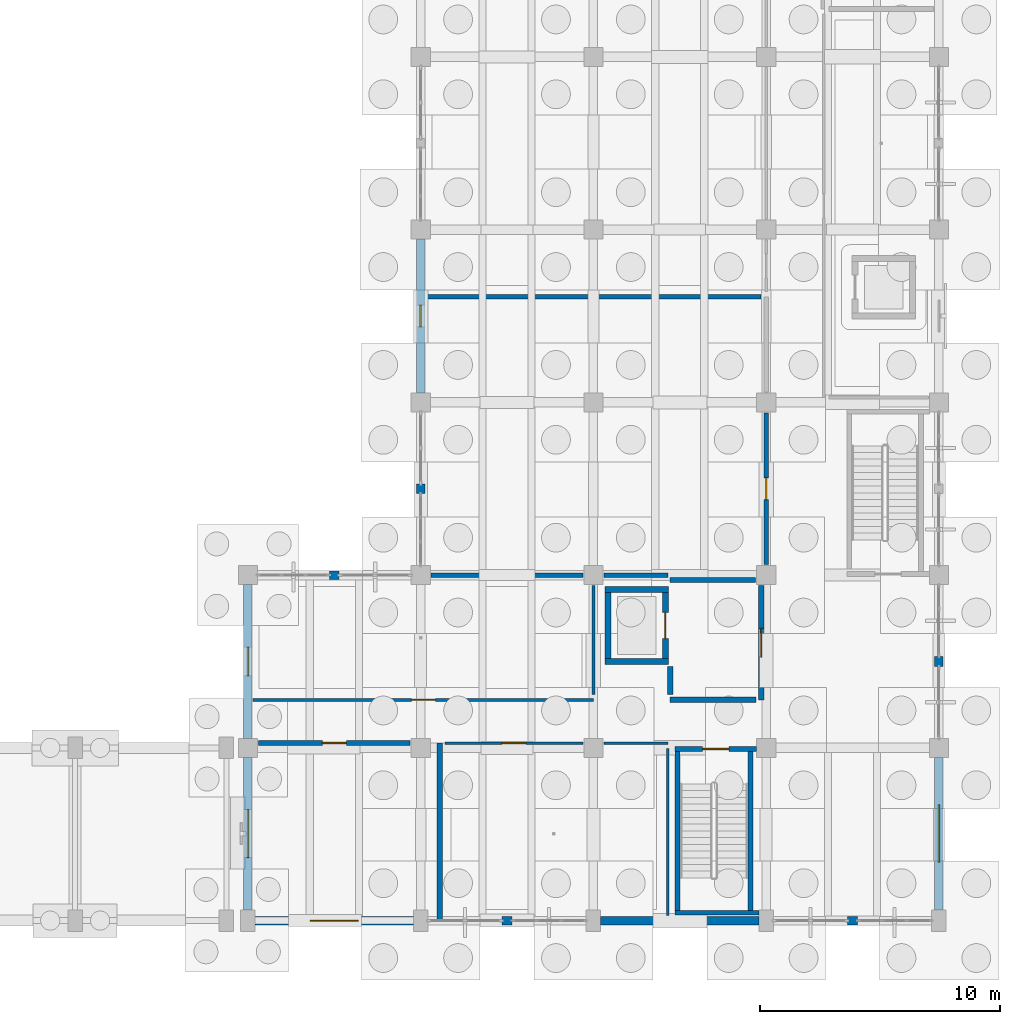
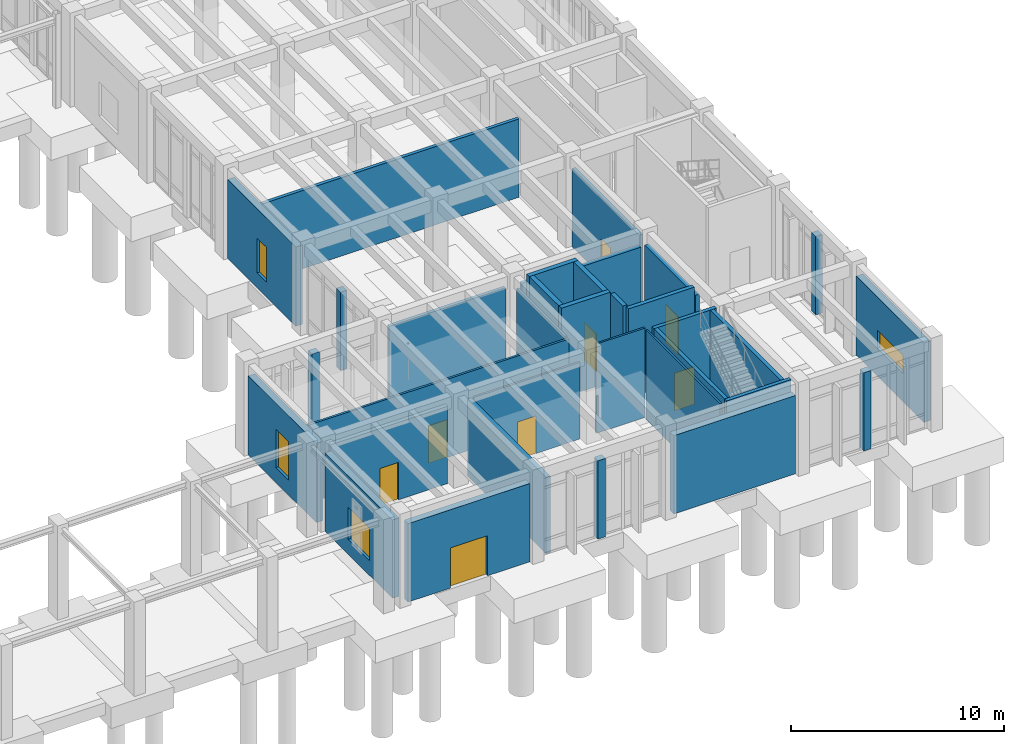
# One storey, part 70 of 93: 34 walls, 8 doors, 4 windows, 12 openings.
"""IFC4 building model written with IfcOpenShell, lengths in metres."""

from ifc_helpers import new_model, si_unit, direction, frame, frame_2d, origin, place, context, subcontext, project, spatial, rectangle, extrude, material, layer, layer_set, type_object, element, fill, save


model = new_model("IFC4")

# Units and contexts
model_context = context("Model", 3, precision=1e-05, world=origin(), true_north=direction((0.0, 1.0)))
body_context = subcontext(model_context, "Body", "Model", "MODEL_VIEW")
ifc_project = project(units=[si_unit("LENGTHUNIT", "METRE"), si_unit("AREAUNIT", "SQUARE_METRE"), si_unit("VOLUMEUNIT", "CUBIC_METRE"), si_unit("PLANEANGLEUNIT", "RADIAN"), si_unit("MASSUNIT", "GRAM", prefix="KILO")], contexts=[model_context])

# Site, building, storey
site_placement = place(None, origin())
site = spatial("IfcSite", under=ifc_project, at=site_placement, CompositionType="ELEMENT")
building_placement = place(site_placement, origin())
building = spatial("IfcBuilding", under=site, at=building_placement, Name="Koriwan Promenade Central Fire Station", CompositionType="ELEMENT")
storey_placement = place(building_placement, origin())
storey = spatial("IfcBuildingStorey", under=building, at=storey_placement, Name="L00", CompositionType="ELEMENT", Elevation=0.0)

# Walls
ifc_material_1 = material(Name="Natural sillar sandstone ashlar", Category="masonry")
ifc_layer_1 = layer(ifc_material_1, 0.360107421875, Name="Natural sillar sandstone ashlar")
ifc_layer_set_1 = layer_set([ifc_layer_1], Name="Natural sillar sandstone ashlar")
wall_type_1 = type_object("IfcWallType", Name="ExtWall_SillarBase_360", PredefinedType="SOLIDWALL", material=ifc_layer_set_1)
wall_1_placement = place(storey_placement, frame((169.39990234375, 0.0, 0.0), z_axis=(0.0, 0.0, 1.0), x_axis=(-1.0, 0.0, 0.0)))
element("IfcWall", 1, at=wall_1_placement, inside=storey, type_object=wall_type_1, Name="V5 L00 sillar facade mullion pier 205", PredefinedType="SOLIDWALL", context=body_context, shape_type="SweptSolid", body=[
    extrude(rectangle(XDim=0.39990234375, YDim=0.360107421875, at=frame_2d((0.199951171875, 0.0))), origin(), (0.0, 0.0, 1.0), 4.489990234375),
])
wall_2_placement = place(storey_placement, frame((165.300048828125, 0.0, 0.0), z_axis=(0.0, 0.0, 1.0), x_axis=(-1.0, 0.0, 0.0)))
element("IfcWall", 2, at=wall_2_placement, inside=storey, type_object=wall_type_1, Name="V5 L00 exterior wall 206", PredefinedType="SOLIDWALL", context=body_context, shape_type="SweptSolid", body=[
    extrude(rectangle(XDim=6.60009765625, YDim=0.360107421875, at=frame_2d((3.300048828125, 0.0))), origin(), (0.0, 0.0, 1.0), 4.489990234375),
])
wall_3_placement = place(storey_placement, frame((155.0, 0.0, 0.0), z_axis=(0.0, 0.0, 1.0), x_axis=(-1.0, 0.0, 0.0)))
element("IfcWall", 3, at=wall_3_placement, inside=storey, type_object=wall_type_1, Name="V5 L00 sillar facade mullion pier 207", PredefinedType="SOLIDWALL", context=body_context, shape_type="SweptSolid", body=[
    extrude(rectangle(XDim=0.39990234375, YDim=0.360107421875, at=frame_2d((0.199951171875, 0.0))), origin(), (0.0, 0.0, 1.0), 4.489990234375),
])

# Wall, opening, door
wall_4_placement = place(storey_placement, frame((150.89990234375, 0.0, 0.0), z_axis=(0.0, 0.0, 1.0), x_axis=(-1.0, 0.0, 0.0)))
wall_4 = element("IfcWall", 4, at=wall_4_placement, inside=storey, type_object=wall_type_1, Name="V5 L00 exterior wall 208", PredefinedType="SOLIDWALL", context=body_context, shape_type="SweptSolid", body=[
    extrude(rectangle(XDim=6.599853515625, YDim=0.360107421875, at=frame_2d((3.2998046875, 0.0))), origin(), (0.0, 0.0, 1.0), 4.489990234375),
])
opening_1_placement = place(wall_4_placement, frame((2.300048828125, 0.0, 0.0)))
opening_1 = element("IfcOpeningElement", 5, at=opening_1_placement, cuts=wall_4, Name="Opening ED-023", PredefinedType="OPENING", context=body_context, shape_type="SweptSolid", body=[
    extrude(rectangle(XDim=2.0, YDim=2.300048828125, at=frame_2d((1.0, 1.14990234375))), frame((0.0, 0.19189453125, 0.0), z_axis=(0.0, -1.0, 0.0), x_axis=(1.0, 0.0, 0.0)), (0.0, 0.0, 1.0), 0.384033203125),
])
ifc_material_2 = material(Name="Aluminium EN AW-6063-T6 and laminated safety glass", Category="aluminium")
door_type_1 = type_object("IfcDoorType", Name="ExitDoorDouble_2000x2300", OperationType="DOUBLE_SWING_LEFT", PredefinedType="DOOR", material=ifc_material_2)
door_1_placement = place(opening_1_placement, origin())
door_1 = element("IfcDoor", 6, at=door_1_placement, inside=storey, type_object=door_type_1, Name="V5 Final Pedestrian Exit Door ED-023", OperationType="DOUBLE_SWING_LEFT", OverallHeight=2.300048828125, OverallWidth=2.0, PredefinedType="DOOR", context=body_context, shape_type="SweptSolid", body=[
    extrude(rectangle(XDim=2.0, YDim=2.300048828125, at=frame_2d((1.0, 1.14990234375))), frame((0.0, 0.02490234375, 0.0), z_axis=(0.0, -1.0, 0.0), x_axis=(1.0, 0.0, 0.0)), (0.0, 0.0, 1.0), 0.050048828125),
])
fill(opening_1, door_1)

# Wall, opening, window
wall_5_placement = place(storey_placement, frame((144.0, 0.449951171875, 0.0), z_axis=(0.0, 0.0, 1.0), x_axis=(0.0, 1.0, 0.0)))
wall_5 = element("IfcWall", 7, at=wall_5_placement, inside=storey, type_object=wall_type_1, Name="V5 L00 exterior wall 209", PredefinedType="SOLIDWALL", context=body_context, shape_type="SweptSolid", body=[
    extrude(rectangle(XDim=6.35009765625, YDim=0.360107421875, at=frame_2d((3.175048828125, 0.0))), origin(), (0.0, 0.0, 1.0), 4.489990234375),
])
opening_2_placement = place(wall_5_placement, frame((2.175048828125, 0.0, 0.85009765625)))
opening_2 = element("IfcOpeningElement", 8, at=opening_2_placement, cuts=wall_5, Name="Opening W-16", PredefinedType="OPENING", context=body_context, shape_type="SweptSolid", body=[
    extrude(rectangle(XDim=2.0, YDim=1.85009765625, at=frame_2d((1.0, 0.925048828125))), frame((0.0, 0.19189453125, 0.0), z_axis=(0.0, -1.0, 0.0), x_axis=(1.0, 0.0, 0.0)), (0.0, 0.0, 1.0), 0.384033203125),
])
ifc_material_3 = material(Name="Solar-control low-E laminated double glazing", Category="glass")
window_type_1 = type_object("IfcWindowType", Name="Win_Studio_2000x1850", PartitioningType="SINGLE_PANEL", PredefinedType="WINDOW", material=ifc_material_3)
window_1_placement = place(opening_2_placement, origin())
window_1 = element("IfcWindow", 9, at=window_1_placement, inside=storey, type_object=window_type_1, Name="V5 L00 window 0084", OverallHeight=1.85009765625, OverallWidth=2.0, PartitioningType="SINGLE_PANEL", PredefinedType="WINDOW", context=body_context, shape_type="SweptSolid", body=[
    extrude(rectangle(XDim=2.0, YDim=1.85009765625, at=frame_2d((1.0, 0.925048828125))), frame((0.0, 0.030029296875, 0.0), z_axis=(0.0, -1.0, 0.0), x_axis=(1.0, 0.0, 0.0)), (0.0, 0.0, 1.0), 0.06005859375),
])
fill(opening_2, window_1)

wall_6_placement = place(storey_placement, frame((144.0, 7.60009765625, 0.0), z_axis=(0.0, 0.0, 1.0), x_axis=(0.0, 1.0, 0.0)))
wall_6 = element("IfcWall", 10, at=wall_6_placement, inside=storey, type_object=wall_type_1, Name="V5 L00 exterior wall 210", PredefinedType="SOLIDWALL", context=body_context, shape_type="SweptSolid", body=[
    extrude(rectangle(XDim=6.39990234375, YDim=0.360107421875, at=frame_2d((3.199951171875, 0.0))), origin(), (0.0, 0.0, 1.0), 4.5400390625),
])
opening_3_placement = place(wall_6_placement, frame((2.60009765625, 0.0, 0.85009765625)))
opening_3 = element("IfcOpeningElement", 11, at=opening_3_placement, cuts=wall_6, Name="Opening W-01", PredefinedType="OPENING", context=body_context, shape_type="SweptSolid", body=[
    extrude(rectangle(XDim=1.199951171875, YDim=2.199951171875, at=frame_2d((0.60009765625, 1.10009765625))), frame((0.0, 0.19189453125, 0.0), z_axis=(0.0, -1.0, 0.0), x_axis=(1.0, 0.0, 0.0)), (0.0, 0.0, 1.0), 0.384033203125),
])
window_type_2 = type_object("IfcWindowType", Name="Win_Jharokha_1200x2200", PartitioningType="SINGLE_PANEL", PredefinedType="WINDOW", material=ifc_material_3)
window_2_placement = place(opening_3_placement, origin())
window_2 = element("IfcWindow", 12, at=window_2_placement, inside=storey, type_object=window_type_2, Name="V5 L00 window 0085", OverallHeight=2.199951171875, OverallWidth=1.199951171875, PartitioningType="SINGLE_PANEL", PredefinedType="WINDOW", context=body_context, shape_type="SweptSolid", body=[
    extrude(rectangle(XDim=1.199951171875, YDim=2.199951171875, at=frame_2d((0.60009765625, 1.10009765625))), frame((0.0, 0.030029296875, 0.0), z_axis=(0.0, -1.0, 0.0), x_axis=(1.0, 0.0, 0.0)), (0.0, 0.0, 1.0), 0.06005859375),
])
fill(opening_3, window_2)

# Walls
wall_7_placement = place(storey_placement, frame((147.39990234375, 14.39990234375, 0.0), z_axis=(0.0, 0.0, 1.0), x_axis=(1.0, 0.0, 0.0)))
element("IfcWall", 13, at=wall_7_placement, inside=storey, type_object=wall_type_1, Name="V5 L00 sillar facade mullion pier 211", PredefinedType="SOLIDWALL", context=body_context, shape_type="SweptSolid", body=[
    extrude(rectangle(XDim=0.400146484375, YDim=0.360107421875, at=frame_2d((0.2001953125, 0.0))), origin(), (0.0, 0.0, 1.0), 4.389892578125),
])
wall_8_placement = place(storey_placement, frame((151.199951171875, 17.800048828125, 0.0), z_axis=(0.0, 0.0, 1.0), x_axis=(0.0, 1.0, 0.0)))
element("IfcWall", 14, at=wall_8_placement, inside=storey, type_object=wall_type_1, Name="V5 L00 sillar facade mullion pier 212", PredefinedType="SOLIDWALL", context=body_context, shape_type="SweptSolid", body=[
    extrude(rectangle(XDim=0.39990234375, YDim=0.360107421875, at=frame_2d((0.199951171875, 0.0))), origin(), (0.0, 0.0, 1.0), 4.489990234375),
])

# Wall, opening, window
wall_9_placement = place(storey_placement, frame((151.199951171875, 22.0, 0.0), z_axis=(0.0, 0.0, 1.0), x_axis=(0.0, 1.0, 0.0)))
wall_9 = element("IfcWall", 15, at=wall_9_placement, inside=storey, type_object=wall_type_1, Name="V5 L00 exterior wall 213", PredefinedType="SOLIDWALL", context=body_context, shape_type="SweptSolid", body=[
    extrude(rectangle(XDim=6.39990234375, YDim=0.360107421875, at=frame_2d((3.199951171875, 0.0))), origin(), (0.0, 0.0, 1.0), 4.5400390625),
])
opening_4_placement = place(wall_9_placement, frame((2.75, 0.0, 0.85009765625)))
opening_4 = element("IfcOpeningElement", 16, at=opening_4_placement, cuts=wall_9, Name="Opening W-04", PredefinedType="OPENING", context=body_context, shape_type="SweptSolid", body=[
    extrude(rectangle(XDim=0.89990234375, YDim=2.0, at=frame_2d((0.449951171875, 1.0))), frame((0.0, 0.19189453125, 0.0), z_axis=(0.0, -1.0, 0.0), x_axis=(1.0, 0.0, 0.0)), (0.0, 0.0, 1.0), 0.384033203125),
])
window_type_3 = type_object("IfcWindowType", Name="Win_HQ_900x2000", PartitioningType="SINGLE_PANEL", PredefinedType="WINDOW", material=ifc_material_3)
window_3_placement = place(opening_4_placement, origin())
window_3 = element("IfcWindow", 17, at=window_3_placement, inside=storey, type_object=window_type_3, Name="V5 L00 window 0086", OverallHeight=2.0, OverallWidth=0.89990234375, PartitioningType="SINGLE_PANEL", PredefinedType="WINDOW", context=body_context, shape_type="SweptSolid", body=[
    extrude(rectangle(XDim=0.89990234375, YDim=2.0, at=frame_2d((0.449951171875, 1.0))), frame((0.0, 0.030029296875, 0.0), z_axis=(0.0, -1.0, 0.0), x_axis=(1.0, 0.0, 0.0)), (0.0, 0.0, 1.0), 0.06005859375),
])
fill(opening_4, window_3)

# Wall
wall_10_placement = place(storey_placement, frame((172.800048828125, 11.0, 0.0), z_axis=(0.0, 0.0, 1.0), x_axis=(0.0, -1.0, 0.0)))
element("IfcWall", 18, at=wall_10_placement, inside=storey, type_object=wall_type_1, Name="V5 L00 sillar facade mullion pier 233", PredefinedType="SOLIDWALL", context=body_context, shape_type="SweptSolid", body=[
    extrude(rectangle(XDim=0.39990234375, YDim=0.360107421875, at=frame_2d((0.199951171875, 0.0))), origin(), (0.0, 0.0, 1.0), 4.489990234375),
])

# Wall, opening, window
wall_11_placement = place(storey_placement, frame((172.800048828125, 6.800048828125, 0.0), z_axis=(0.0, 0.0, 1.0), x_axis=(0.0, -1.0, 0.0)))
wall_11 = element("IfcWall", 19, at=wall_11_placement, inside=storey, type_object=wall_type_1, Name="V5 L00 exterior wall 234", PredefinedType="SOLIDWALL", context=body_context, shape_type="SweptSolid", body=[
    extrude(rectangle(XDim=6.35009765625, YDim=0.360107421875, at=frame_2d((3.175048828125, 0.0))), origin(), (0.0, 0.0, 1.0), 4.5400390625),
])
opening_5_placement = place(wall_11_placement, frame((1.97509765625, 0.0, 1.60009765625)))
opening_5 = element("IfcOpeningElement", 20, at=opening_5_placement, cuts=wall_11, Name="Opening W-13", PredefinedType="OPENING", context=body_context, shape_type="SweptSolid", body=[
    extrude(rectangle(XDim=2.39990234375, YDim=1.050048828125, at=frame_2d((1.199951171875, 0.52490234375))), frame((0.0, 0.19189453125, 0.0), z_axis=(0.0, -1.0, 0.0), x_axis=(1.0, 0.0, 0.0)), (0.0, 0.0, 1.0), 0.384033203125),
])
window_type_4 = type_object("IfcWindowType", Name="Win_HighRibbon_2400x1050", PartitioningType="SINGLE_PANEL", PredefinedType="WINDOW", material=ifc_material_3)
window_4_placement = place(opening_5_placement, origin())
window_4 = element("IfcWindow", 21, at=window_4_placement, inside=storey, type_object=window_type_4, Name="V5 L00 window 0095", OverallHeight=1.050048828125, OverallWidth=2.39990234375, PartitioningType="SINGLE_PANEL", PredefinedType="WINDOW", context=body_context, shape_type="SweptSolid", body=[
    extrude(rectangle(XDim=2.39990234375, YDim=1.050048828125, at=frame_2d((1.199951171875, 0.52490234375))), frame((0.0, 0.030029296875, 0.0), z_axis=(0.0, -1.0, 0.0), x_axis=(1.0, 0.0, 0.0)), (0.0, 0.0, 1.0), 0.06005859375),
])
fill(opening_5, window_4)

# Wall, opening, door
ifc_material_4 = material(Name="Gypsum board acoustic stud partition", Category="gypsum")
ifc_layer_2 = layer(ifc_material_4, 0.10009765625, Name="Gypsum board acoustic stud partition")
ifc_layer_set_2 = layer_set([ifc_layer_2], Name="Gypsum board acoustic stud partition")
wall_type_2 = type_object("IfcWallType", Name="IntWall_Drywall_100", PredefinedType="PARTITIONING", material=ifc_layer_set_2)
wall_12_placement = place(storey_placement, frame((152.219970703125, 7.39990234375, 0.0), z_axis=(0.0, 0.0, 1.0), x_axis=(1.0, 0.0, 0.0)))
wall_12 = element("IfcWall", 22, at=wall_12_placement, inside=storey, type_object=wall_type_2, Name="Fire Prevention Inspection Counter Office partition N", PredefinedType="PARTITIONING", context=body_context, shape_type="SweptSolid", body=[
    extrude(rectangle(XDim=5.739990234375, YDim=0.10009765625, at=frame_2d((2.8701171875, 0.0))), origin(), (0.0, 0.0, 1.0), 4.387939453125),
])
opening_6_placement = place(wall_12_placement, frame((2.3701171875, 0.0, 0.0)))
opening_6 = element("IfcOpeningElement", 23, at=opening_6_placement, cuts=wall_12, Name="Opening D-150", PredefinedType="OPENING", context=body_context, shape_type="SweptSolid", body=[
    extrude(rectangle(XDim=1.0, YDim=2.14990234375, at=frame_2d((0.5, 1.074951171875))), frame((0.0, 0.06201171875, 0.0), z_axis=(0.0, -1.0, 0.0), x_axis=(1.0, 0.0, 0.0)), (0.0, 0.0, 1.0), 0.1240234375),
])
ifc_material_5 = material(Name="Hardwood veneer solid-core timber", Category="wood")
door_type_2 = type_object("IfcDoorType", Name="RoomDoor_Office_1000x2150", OperationType="NOTDEFINED", PredefinedType="DOOR", material=ifc_material_5)
door_2_placement = place(opening_6_placement, origin())
door_2 = element("IfcDoor", 24, at=door_2_placement, inside=storey, type_object=door_type_2, Name="Fire Prevention Inspection Counter Office Door D-150", OperationType="SINGLE_SWING_RIGHT", OverallHeight=2.14990234375, OverallWidth=1.0, PredefinedType="DOOR", context=body_context, shape_type="SweptSolid", body=[
    extrude(rectangle(XDim=1.0, YDim=2.14990234375, at=frame_2d((0.5, 1.074951171875))), frame((0.0, 0.02490234375, 0.0), z_axis=(0.0, -1.0, 0.0), x_axis=(1.0, 0.0, 0.0)), (0.0, 0.0, 1.0), 0.050048828125),
])
fill(opening_6, door_2)

# Walls
wall_13_placement = place(storey_placement, frame((158.840087890625, 7.39990234375, 0.0), z_axis=(0.0, 0.0, 1.0), x_axis=(1.0, 0.0, 0.0)))
element("IfcWall", 25, at=wall_13_placement, inside=storey, type_object=wall_type_2, Name="Fire Prevention Inspection Counter Office partition N", PredefinedType="PARTITIONING", context=body_context, shape_type="SweptSolid", body=[
    extrude(rectangle(XDim=2.659912109375, YDim=0.10009765625, at=frame_2d((1.330078125, 0.0))), origin(), (0.0, 0.0, 1.0), 5.1201171875),
])
wall_14_placement = place(storey_placement, frame((161.5, 0.219970703125, 0.0), z_axis=(0.0, 0.0, 1.0), x_axis=(0.0, 1.0, 0.0)))
element("IfcWall", 26, at=wall_14_placement, inside=storey, type_object=wall_type_2, Name="Fire Prevention Inspection Counter Office partition E", PredefinedType="PARTITIONING", context=body_context, shape_type="SweptSolid", body=[
    extrude(rectangle(XDim=6.9599609375, YDim=0.10009765625, at=frame_2d((3.47998046875, 0.0))), origin(), (0.0, 0.0, 1.0), 5.1201171875),
])

# Wall, opening, door
ifc_layer_3 = layer(ifc_material_4, 0.1201171875, Name="Gypsum board acoustic stud partition")
ifc_layer_set_3 = layer_set([ifc_layer_3], Name="Gypsum board acoustic stud partition")
wall_type_3 = type_object("IfcWallType", Name="IntWall_Drywall_120", PredefinedType="PARTITIONING", material=ifc_layer_set_3)
wall_15_placement = place(storey_placement, frame((144.219970703125, 9.199951171875, 0.0), z_axis=(0.0, 0.0, 1.0), x_axis=(1.0, 0.0, 0.0)))
wall_15 = element("IfcWall", 27, at=wall_15_placement, inside=storey, type_object=wall_type_3, Name="Civic Reception and Credentials Office partition S", PredefinedType="PARTITIONING", context=body_context, shape_type="SweptSolid", body=[
    extrude(rectangle(XDim=14.179931640625, YDim=0.1201171875, at=frame_2d((7.08984375, 0.0))), origin(), (0.0, 0.0, 1.0), 4.488037109375),
])
opening_7_placement = place(wall_15_placement, frame((6.590087890625, 0.0, 0.0)))
opening_7 = element("IfcOpeningElement", 28, at=opening_7_placement, cuts=wall_15, Name="Opening D-151", PredefinedType="OPENING", context=body_context, shape_type="SweptSolid", body=[
    extrude(rectangle(XDim=1.0, YDim=2.14990234375, at=frame_2d((0.5, 1.074951171875))), frame((0.0, 0.072021484375, 0.0), z_axis=(0.0, -1.0, 0.0), x_axis=(1.0, 0.0, 0.0)), (0.0, 0.0, 1.0), 0.14404296875),
])
door_3_placement = place(opening_7_placement, origin())
door_3 = element("IfcDoor", 29, at=door_3_placement, inside=storey, type_object=door_type_2, Name="Civic Reception and Credentials Office Door D-151", OperationType="SINGLE_SWING_LEFT", OverallHeight=2.14990234375, OverallWidth=1.0, PredefinedType="DOOR", context=body_context, shape_type="SweptSolid", body=[
    extrude(rectangle(XDim=1.0, YDim=2.14990234375, at=frame_2d((0.5, 1.074951171875))), frame((0.0, 0.02490234375, 0.0), z_axis=(0.0, -1.0, 0.0), x_axis=(1.0, 0.0, 0.0)), (0.0, 0.0, 1.0), 0.050048828125),
])
fill(opening_7, door_3)

# Wall
wall_16_placement = place(storey_placement, frame((158.39990234375, 9.419921875, 0.0), z_axis=(0.0, 0.0, 1.0), x_axis=(0.0, 1.0, 0.0)))
element("IfcWall", 30, at=wall_16_placement, inside=storey, type_object=wall_type_3, Name="Civic Reception and Credentials Office partition E", PredefinedType="PARTITIONING", context=body_context, shape_type="SweptSolid", body=[
    extrude(rectangle(XDim=4.5400390625, YDim=0.1201171875, at=frame_2d((2.27001953125, 0.0))), origin(), (0.0, 0.0, 1.0), 4.488037109375),
])

# Wall, opening, door
ifc_material_6 = material(Name="Concrete C35/45 compartment wall", Category="concrete")
ifc_layer_4 = layer(ifc_material_6, 0.219970703125, Name="Concrete C35/45 compartment wall")
ifc_layer_set_4 = layer_set([ifc_layer_4], Name="Concrete C35/45 compartment wall")
wall_type_4 = type_object("IfcWallType", Name="IntWall_Plant_220", PredefinedType="STANDARD", material=ifc_layer_set_4)
wall_17_placement = place(storey_placement, frame((165.39990234375, 9.199951171875, 0.0), z_axis=(0.0, 0.0, 1.0), x_axis=(0.0, 1.0, 0.0)))
wall_17 = element("IfcWall", 31, at=wall_17_placement, inside=storey, type_object=wall_type_4, Name="Headquarters Firefighting Lift Lobby L00 partition E", PredefinedType="STANDARD", context=body_context, shape_type="SweptSolid", body=[
    extrude(rectangle(XDim=4.760009765625, YDim=0.219970703125, at=frame_2d((2.3798828125, 0.0))), origin(), (0.0, 0.0, 1.0), 4.5380859375),
])
opening_8_placement = place(wall_17_placement, frame((1.780029296875, 0.0, 0.0)))
opening_8 = element("IfcOpeningElement", 32, at=opening_8_placement, cuts=wall_17, Name="Opening D-148", PredefinedType="OPENING", context=body_context, shape_type="SweptSolid", body=[
    extrude(rectangle(XDim=1.199951171875, YDim=2.199951171875, at=frame_2d((0.60009765625, 1.10009765625))), frame((0.0, 0.1220703125, 0.0), z_axis=(0.0, -1.0, 0.0), x_axis=(1.0, 0.0, 0.0)), (0.0, 0.0, 1.0), 0.243896484375),
])
ifc_material_7 = material(Name="Painted galvanized fire-door steel", Category="steel")
door_type_3 = type_object("IfcDoorType", Name="FireDoor_Lobby_1200x2200", OperationType="NOTDEFINED", PredefinedType="DOOR", material=ifc_material_7)
door_4_placement = place(opening_8_placement, origin())
door_4 = element("IfcDoor", 33, at=door_4_placement, inside=storey, type_object=door_type_3, Name="Headquarters Firefighting Lift Lobby L00 Door D-148", OperationType="SINGLE_SWING_RIGHT", OverallHeight=2.199951171875, OverallWidth=1.199951171875, PredefinedType="DOOR", context=body_context, shape_type="SweptSolid", body=[
    extrude(rectangle(XDim=1.199951171875, YDim=2.199951171875, at=frame_2d((0.60009765625, 1.10009765625))), frame((0.0, 0.02490234375, 0.0), z_axis=(0.0, -1.0, 0.0), x_axis=(1.0, 0.0, 0.0)), (0.0, 0.0, 1.0), 0.050048828125),
])
fill(opening_8, door_4)

# Walls
wall_18_placement = place(storey_placement, frame((161.60009765625, 9.199951171875, 0.0), z_axis=(0.0, 0.0, 1.0), x_axis=(1.0, 0.0, 0.0)))
element("IfcWall", 34, at=wall_18_placement, inside=storey, type_object=wall_type_4, Name="Headquarters Firefighting Lift Lobby L00 partition S", PredefinedType="STANDARD", context=body_context, shape_type="SweptSolid", body=[
    extrude(rectangle(XDim=3.579833984375, YDim=0.219970703125, at=frame_2d((1.7900390625, 0.0))), origin(), (0.0, 0.0, 1.0), 5.1201171875),
])
wall_19_placement = place(storey_placement, frame((161.60009765625, 14.199951171875, 0.0), z_axis=(0.0, 0.0, 1.0), x_axis=(1.0, 0.0, 0.0)))
element("IfcWall", 35, at=wall_19_placement, inside=storey, type_object=wall_type_4, Name="Headquarters Firefighting Lift Lobby L00 partition N", PredefinedType="STANDARD", context=body_context, shape_type="SweptSolid", body=[
    extrude(rectangle(XDim=3.559814453125, YDim=0.219970703125, at=frame_2d((1.77978515625, 0.0))), origin(), (0.0, 0.0, 1.0), 4.387939453125),
])
wall_20_placement = place(storey_placement, frame((161.60009765625, 9.419921875, 0.0), z_axis=(0.0, 0.0, 1.0), x_axis=(0.0, 1.0, 0.0)))
element("IfcWall", 36, at=wall_20_placement, inside=storey, type_object=wall_type_4, Name="Headquarters Firefighting Lift Lobby L00 partition W", PredefinedType="STANDARD", context=body_context, shape_type="SweptSolid", body=[
    extrude(rectangle(XDim=1.173583984375, YDim=0.219970703125, at=frame_2d((0.5869140625, 0.0))), origin(), (0.0, 0.0, 1.0), 5.1201171875),
])

# Wall, opening, door
wall_21_placement = place(storey_placement, frame((144.43994140625, 7.39990234375, 0.0), z_axis=(0.0, 0.0, 1.0), x_axis=(1.0, 0.0, 0.0)))
wall_21 = element("IfcWall", 37, at=wall_21_placement, inside=storey, type_object=wall_type_4, Name="Fire Command and Emergency Control Room partition N", PredefinedType="STANDARD", context=body_context, shape_type="SweptSolid", body=[
    extrude(rectangle(XDim=6.320068359375, YDim=0.219970703125, at=frame_2d((3.16015625, 0.0))), origin(), (0.0, 0.0, 1.0), 4.43798828125),
])
opening_9_placement = place(wall_21_placement, frame((2.659912109375, 0.0, 0.0)))
opening_9 = element("IfcOpeningElement", 38, at=opening_9_placement, cuts=wall_21, Name="Opening D-149", PredefinedType="OPENING", context=body_context, shape_type="SweptSolid", body=[
    extrude(rectangle(XDim=1.0, YDim=2.14990234375, at=frame_2d((0.5, 1.074951171875))), frame((0.0, 0.1220703125, 0.0), z_axis=(0.0, -1.0, 0.0), x_axis=(1.0, 0.0, 0.0)), (0.0, 0.0, 1.0), 0.243896484375),
])
door_5_placement = place(opening_9_placement, origin())
door_5 = element("IfcDoor", 39, at=door_5_placement, inside=storey, type_object=door_type_2, Name="Fire Command and Emergency Control Room Door D-149", OperationType="SINGLE_SWING_LEFT", OverallHeight=2.14990234375, OverallWidth=1.0, PredefinedType="DOOR", context=body_context, shape_type="SweptSolid", body=[
    extrude(rectangle(XDim=1.0, YDim=2.14990234375, at=frame_2d((0.5, 1.074951171875))), frame((0.0, 0.02490234375, 0.0), z_axis=(0.0, -1.0, 0.0), x_axis=(1.0, 0.0, 0.0)), (0.0, 0.0, 1.0), 0.050048828125),
])
fill(opening_9, door_5)

# Wall
wall_22_placement = place(storey_placement, frame((152.0, 0.0, 0.0), z_axis=(0.0, 0.0, 1.0), x_axis=(0.0, 1.0, 0.0)))
element("IfcWall", 40, at=wall_22_placement, inside=storey, type_object=wall_type_4, Name="Fire Command and Emergency Control Room partition E", PredefinedType="STANDARD", context=body_context, shape_type="SweptSolid", body=[
    extrude(rectangle(XDim=7.39990234375, YDim=0.219970703125, at=frame_2d((3.699951171875, 0.0))), origin(), (0.0, 0.0, 1.0), 4.387939453125),
])

# Wall, opening, door
ifc_material_8 = material(Name="Moisture-resistant sanitary chase wall", Category="gypsum")
ifc_layer_5 = layer(ifc_material_8, 0.179931640625, Name="Moisture-resistant sanitary chase wall")
ifc_layer_set_5 = layer_set([ifc_layer_5], Name="Moisture-resistant sanitary chase wall")
wall_type_5 = type_object("IfcWallType", Name="IntWall_Plumbing_180", PredefinedType="PLUMBINGWALL", material=ifc_layer_set_5)
wall_23_placement = place(storey_placement, frame((165.60009765625, 14.840087890625, 0.0), z_axis=(0.0, 0.0, 1.0), x_axis=(0.0, 1.0, 0.0)))
wall_23 = element("IfcWall", 41, at=wall_23_placement, inside=storey, type_object=wall_type_5, Name="Headquarters L00 Male Female and Accessible WCs partition E", PredefinedType="PLUMBINGWALL", context=body_context, shape_type="SweptSolid", body=[
    extrude(rectangle(XDim=6.31982421875, YDim=0.179931640625, at=frame_2d((3.159912109375, 0.0))), origin(), (0.0, 0.0, 1.0), 4.488037109375),
])
opening_10_placement = place(wall_23_placement, frame((2.7099609375, 0.0, 0.0)))
opening_10 = element("IfcOpeningElement", 42, at=opening_10_placement, cuts=wall_23, Name="Opening D-155", PredefinedType="OPENING", context=body_context, shape_type="SweptSolid", body=[
    extrude(rectangle(XDim=0.89990234375, YDim=2.10009765625, at=frame_2d((0.449951171875, 1.050048828125))), frame((0.0, 0.10205078125, 0.0), z_axis=(0.0, -1.0, 0.0), x_axis=(1.0, 0.0, 0.0)), (0.0, 0.0, 1.0), 0.203857421875),
])
ifc_material_9 = material(Name="High-pressure laminate moisture-resistant core", Category="wood")
door_type_4 = type_object("IfcDoorType", Name="RoomDoor_WC_900x2100", OperationType="NOTDEFINED", PredefinedType="DOOR", material=ifc_material_9)
door_6_placement = place(opening_10_placement, origin())
door_6 = element("IfcDoor", 43, at=door_6_placement, inside=storey, type_object=door_type_4, Name="Headquarters L00 Male Female and Accessible WCs Door D-155", OperationType="SINGLE_SWING_LEFT", OverallHeight=2.10009765625, OverallWidth=0.89990234375, PredefinedType="DOOR", context=body_context, shape_type="SweptSolid", body=[
    extrude(rectangle(XDim=0.89990234375, YDim=2.10009765625, at=frame_2d((0.449951171875, 1.050048828125))), frame((0.0, 0.02490234375, 0.0), z_axis=(0.0, -1.0, 0.0), x_axis=(1.0, 0.0, 0.0)), (0.0, 0.0, 1.0), 0.050048828125),
])
fill(opening_10, door_6)

# Walls
wall_24_placement = place(storey_placement, frame((151.639892578125, 14.39990234375, 0.0), z_axis=(0.0, 0.0, 1.0), x_axis=(1.0, 0.0, 0.0)))
element("IfcWall", 44, at=wall_24_placement, inside=storey, type_object=wall_type_5, Name="Headquarters L00 Male Female and Accessible WCs partition S", PredefinedType="PLUMBINGWALL", context=body_context, shape_type="SweptSolid", body=[
    extrude(rectangle(XDim=6.320068359375, YDim=0.179931640625, at=frame_2d((3.16015625, 0.0))), origin(), (0.0, 0.0, 1.0), 4.43798828125),
])
wall_25_placement = place(storey_placement, frame((158.840087890625, 14.39990234375, 0.0), z_axis=(0.0, 0.0, 1.0), x_axis=(1.0, 0.0, 0.0)))
element("IfcWall", 45, at=wall_25_placement, inside=storey, type_object=wall_type_5, Name="Headquarters L00 Male Female and Accessible WCs partition S", PredefinedType="PLUMBINGWALL", context=body_context, shape_type="SweptSolid", body=[
    extrude(rectangle(XDim=2.668701171875, YDim=0.179931640625, at=frame_2d((1.33447265625, 0.0))), origin(), (0.0, 0.0, 1.0), 4.387939453125),
])
wall_26_placement = place(storey_placement, frame((151.419921875, 26.0, 0.0), z_axis=(0.0, 0.0, 1.0), x_axis=(1.0, 0.0, 0.0)))
element("IfcWall", 46, at=wall_26_placement, inside=storey, type_object=wall_type_5, Name="Headquarters L00 Male Female and Accessible WCs partition N", PredefinedType="PLUMBINGWALL", context=body_context, shape_type="SweptSolid", body=[
    extrude(rectangle(XDim=13.9599609375, YDim=0.179931640625, at=frame_2d((6.97998046875, 0.0))), origin(), (0.0, 0.0, 1.0), 4.488037109375),
])
ifc_material_10 = material(Name="Concrete C40/50", Category="concrete")
ifc_layer_6 = layer(ifc_material_10, 0.199951171875, Name="Concrete C40/50")
ifc_layer_set_6 = layer_set([ifc_layer_6], Name="Concrete C40/50")
wall_type_6 = type_object("IfcWallType", Name="ShearWall_200", PredefinedType="SHEAR", material=ifc_layer_set_6)
wall_27_placement = place(storey_placement, frame((161.800048828125, 0.330078125, 0.0), z_axis=(0.0, 0.0, 1.0), x_axis=(1.0, 0.0, 0.0)))
element("IfcWall", 47, at=wall_27_placement, inside=storey, type_object=wall_type_6, Name="ST22 L00 structural stair wall S", PredefinedType="SHEAR", context=body_context, shape_type="SweptSolid", body=[
    extrude(rectangle(XDim=3.5, YDim=0.199951171875, at=frame_2d((1.75, 0.0))), origin(), (0.0, 0.0, 1.0), 5.14990234375),
])

# Wall, opening, door
wall_28_placement = place(storey_placement, frame((161.800048828125, 7.14990234375, 0.0), z_axis=(0.0, 0.0, 1.0), x_axis=(1.0, 0.0, 0.0)))
wall_28 = element("IfcWall", 48, at=wall_28_placement, inside=storey, type_object=wall_type_6, Name="ST22 L00 structural stair wall N", PredefinedType="SHEAR", context=body_context, shape_type="SweptSolid", body=[
    extrude(rectangle(XDim=3.39990234375, YDim=0.199951171875, at=frame_2d((1.699951171875, 0.0))), origin(), (0.0, 0.0, 1.0), 5.14990234375),
])
opening_11_placement = place(wall_28_placement, frame((1.14990234375, 0.0, 0.0)))
opening_11 = element("IfcOpeningElement", 49, at=opening_11_placement, cuts=wall_28, Name="Opening SD-032", PredefinedType="OPENING", context=body_context, shape_type="SweptSolid", body=[
    extrude(rectangle(XDim=1.10009765625, YDim=2.14990234375, at=frame_2d((0.550048828125, 1.074951171875))), frame((0.0, 0.11181640625, 0.0), z_axis=(0.0, -1.0, 0.0), x_axis=(1.0, 0.0, 0.0)), (0.0, 0.0, 1.0), 0.223876953125),
])
door_type_5 = type_object("IfcDoorType", Name="FireDoor_Stair_1100x2150", OperationType="NOTDEFINED", PredefinedType="DOOR", material=ifc_material_7)
door_7_placement = place(opening_11_placement, origin())
door_7 = element("IfcDoor", 50, at=door_7_placement, inside=storey, type_object=door_type_5, Name="Protected Stair ST22 Fire Door SD-032", OperationType="SINGLE_SWING_LEFT", OverallHeight=2.14990234375, OverallWidth=1.10009765625, PredefinedType="DOOR", context=body_context, shape_type="SweptSolid", body=[
    extrude(rectangle(XDim=1.10009765625, YDim=2.14990234375, at=frame_2d((0.550048828125, 1.074951171875))), frame((0.0, 0.02490234375, 0.0), z_axis=(0.0, -1.0, 0.0), x_axis=(1.0, 0.0, 0.0)), (0.0, 0.0, 1.0), 0.050048828125),
])
fill(opening_11, door_7)

# Walls
for number, where, z_axis, x_axis, name in (
    (51, (161.89990234375, 0.429931640625, 0.0), (0.0, 0.0, 1.0), (0.0, 1.0, 0.0), "ST22 L00 structural stair wall W"),
    (52, (164.949951171875, 0.429931640625, 0.0), (0.0, 0.0, 1.0), (0.0, 1.0, 0.0), "ST22 L00 structural stair wall E"),
):
    element("IfcWall", number, at=place(storey_placement, frame(where, z_axis=z_axis, x_axis=x_axis)), inside=storey, type_object=wall_type_6, Name=name, PredefinedType="SHEAR", context=body_context, shape_type="SweptSolid", body=[
        extrude(rectangle(XDim=6.6201171875, YDim=0.199951171875, at=frame_2d((3.31005859375, 0.0))), origin(), (0.0, 0.0, 1.0), 5.14990234375),
    ])
ifc_layer_7 = layer(ifc_material_10, 0.25, Name="Concrete C40/50")
ifc_layer_set_7 = layer_set([ifc_layer_7], Name="Concrete C40/50")
wall_type_7 = type_object("IfcWallType", Name="ShearWall_250", PredefinedType="SHEAR", material=ifc_layer_set_7)
for number, where, z_axis, x_axis, name in (
    (53, (158.875, 10.800048828125, 0.0), (0.0, 0.0, 1.0), (1.0, 0.0, 0.0), "LF01 shaft wall S (L00)"),
    (54, (158.875, 13.800048828125, 0.0), (0.0, 0.0, 1.0), (1.0, 0.0, 0.0), "LF01 shaft wall N (L00)"),
):
    element("IfcWall", number, at=place(storey_placement, frame(where, z_axis=z_axis, x_axis=x_axis)), inside=storey, type_object=wall_type_7, Name=name, PredefinedType="SHEAR", context=body_context, shape_type="SweptSolid", body=[
        extrude(rectangle(XDim=2.64990234375, YDim=0.25, at=frame_2d((1.324951171875, 0.0))), origin(), (0.0, 0.0, 1.0), 5.14990234375),
    ])
wall_29_placement = place(storey_placement, frame((159.0, 10.925048828125, 0.0), z_axis=(0.0, 0.0, 1.0), x_axis=(0.0, 1.0, 0.0)))
element("IfcWall", 55, at=wall_29_placement, inside=storey, type_object=wall_type_7, Name="LF01 shaft wall W (L00)", PredefinedType="SHEAR", context=body_context, shape_type="SweptSolid", body=[
    extrude(rectangle(XDim=2.75, YDim=0.25, at=frame_2d((1.375, 0.0))), origin(), (0.0, 0.0, 1.0), 5.14990234375),
])

# Wall, opening, door
wall_30_placement = place(storey_placement, frame((161.39990234375, 10.925048828125, 0.0), z_axis=(0.0, 0.0, 1.0), x_axis=(0.0, 1.0, 0.0)))
wall_30 = element("IfcWall", 56, at=wall_30_placement, inside=storey, type_object=wall_type_7, Name="LF01 shaft wall E (L00)", PredefinedType="SHEAR", context=body_context, shape_type="SweptSolid", body=[
    extrude(rectangle(XDim=2.75, YDim=0.25, at=frame_2d((1.375, 0.0))), origin(), (0.0, 0.0, 1.0), 5.14990234375),
])
opening_12_placement = place(wall_30_placement, frame((0.824951171875, 0.0, 0.0)))
opening_12 = element("IfcOpeningElement", 57, at=opening_12_placement, cuts=wall_30, Name="Opening LD-LF01-L00", PredefinedType="OPENING", context=body_context, shape_type="SweptSolid", body=[
    extrude(rectangle(XDim=1.10009765625, YDim=2.14990234375, at=frame_2d((0.550048828125, 1.074951171875))), frame((0.0, 0.136962890625, 0.0), z_axis=(0.0, -1.0, 0.0), x_axis=(1.0, 0.0, 0.0)), (0.0, 0.0, 1.0), 0.27392578125),
])
ifc_material_11 = material(Name="Stainless steel 316", Category="steel")
door_type_6 = type_object("IfcDoorType", Name="LiftDoor_Fire_1100x2150", OperationType="SLIDING_TO_LEFT", PredefinedType="DOOR", material=ifc_material_11)
door_8_placement = place(opening_12_placement, origin())
door_8 = element("IfcDoor", 58, at=door_8_placement, inside=storey, type_object=door_type_6, Name="Lift LF01 Sliding Landing Door LD-LF01-L00", OperationType="SLIDING_TO_LEFT", OverallHeight=2.14990234375, OverallWidth=1.10009765625, PredefinedType="DOOR", context=body_context, shape_type="SweptSolid", body=[
    extrude(rectangle(XDim=1.10009765625, YDim=2.14990234375, at=frame_2d((0.550048828125, 1.074951171875))), frame((0.0, 0.02490234375, 0.0), z_axis=(0.0, -1.0, 0.0), x_axis=(1.0, 0.0, 0.0)), (0.0, 0.0, 1.0), 0.050048828125),
])
fill(opening_12, door_8)

save(model, "model.ifc")
